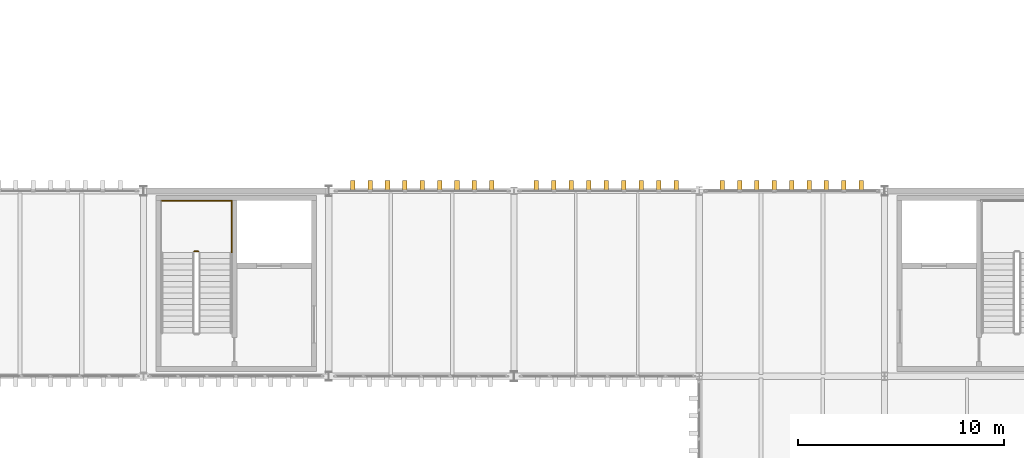
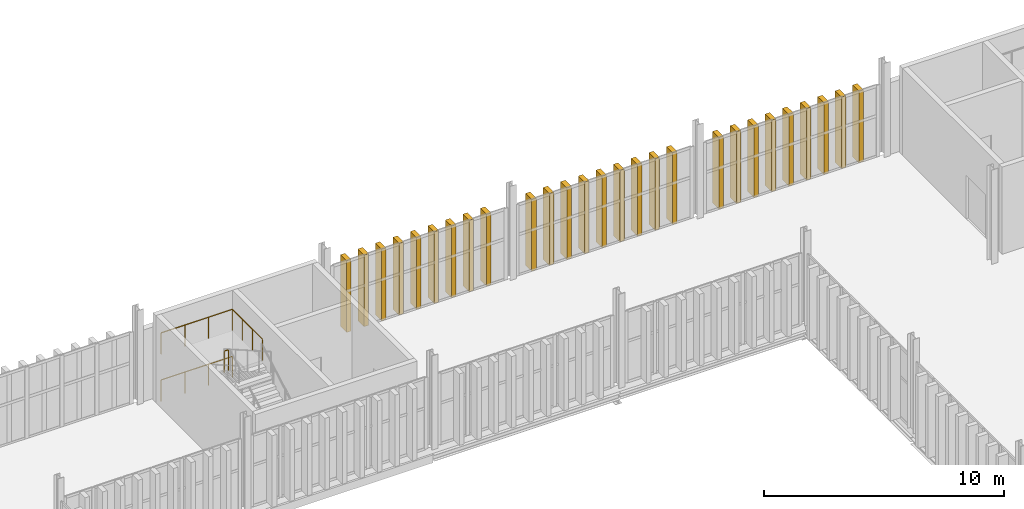
# One storey, part 195 of 196: 27 shading devices, 4 railings.
"""IFC4 building model written with IfcOpenShell, lengths in metres."""

from ifc_helpers import new_model, si_unit, direction, frame, origin, origin_2d, place, context, subcontext, project, spatial, rectangle, circle, extrude, material, type_object, element, save


model = new_model("IFC4")

# Units and contexts
model_context = context("Model", 3, precision=1e-05, world=origin(), true_north=direction((0.0, 1.0)))
body_context = subcontext(model_context, "Body", "Model", "MODEL_VIEW")
ifc_project = project(units=[si_unit("LENGTHUNIT", "METRE"), si_unit("AREAUNIT", "SQUARE_METRE"), si_unit("VOLUMEUNIT", "CUBIC_METRE"), si_unit("PLANEANGLEUNIT", "RADIAN"), si_unit("MASSUNIT", "GRAM", prefix="KILO")], contexts=[model_context])

# Site, building, storey
site_placement = place(None, origin())
site = spatial("IfcSite", under=ifc_project, at=site_placement, CompositionType="ELEMENT")
building_placement = place(site_placement, origin())
building = spatial("IfcBuilding", under=site, at=building_placement, Name="Barlavento Convention Centre", CompositionType="ELEMENT")
storey_placement = place(building_placement, frame((0.0, 0.0, 18.0)))
storey = spatial("IfcBuildingStorey", under=building, at=storey_placement, Name="L03", CompositionType="ELEMENT", Elevation=18.0)

# Railings
ifc_material_1 = material(Name="Stainless steel and laminated glass balustrade", Category="steel")
railing_type = type_object("IfcRailingType", Name="ARC-RAL-BAL-1100", PredefinedType="BALUSTRADE", material=ifc_material_1)
railing_1_placement = place(storey_placement, frame((146.669921875, 96.06005859375, 2.39990234375)))
element("IfcRailing", 1, at=railing_1_placement, inside=storey, type_object=railing_type, Name="L03 ST09 stair guard 2", PredefinedType="BALUSTRADE", context=body_context, shape_type="SweptSolid", body=[
    extrude(circle(Radius=0.02392578125, at=origin_2d()), frame((0.0, 0.0, 1.076171875), z_axis=(-1.0, 0.0, 0.0), x_axis=(0.0, -1.0, 0.0)), (0.0, 0.0, 1.0), 0.199951171875),
    extrude(circle(Radius=0.02099609375, at=origin_2d()), origin(), (0.0, 0.0, 1.0), 1.052001953125),
    extrude(circle(Radius=0.02099609375, at=origin_2d()), frame((-0.199951171875, 0.0, 0.0)), (0.0, 0.0, 1.0), 1.052001953125),
])
railing_2_placement = place(storey_placement, frame((148.2900390625, 96.010009765625, 2.39990234375)))
element("IfcRailing", 2, at=railing_2_placement, inside=storey, type_object=railing_type, Name="L03 landing guard GR01", PredefinedType="BALUSTRADE", context=body_context, shape_type="SweptSolid", body=[
    extrude(circle(Radius=0.02392578125, at=origin_2d()), frame((0.0, 0.0, 1.076171875), z_axis=(0.0, 1.0, 0.0), x_axis=(-1.0, 0.0, 0.0)), (0.0, 0.0, 1.0), 2.52001953125),
    extrude(circle(Radius=0.02099609375, at=origin_2d()), origin(), (0.0, 0.0, 1.0), 1.052001953125),
    extrude(circle(Radius=0.02099609375, at=origin_2d()), frame((0.0, 0.840087890625, 0.0)), (0.0, 0.0, 1.0), 1.052001953125),
    extrude(circle(Radius=0.02099609375, at=origin_2d()), frame((0.0, 1.679931640625, 0.0)), (0.0, 0.0, 1.0), 1.052001953125),
    extrude(circle(Radius=0.02099609375, at=origin_2d()), frame((0.0, 2.52001953125, 0.0)), (0.0, 0.0, 1.0), 1.052001953125),
])
for number, where, name in (
    (3, (148.2900390625, 98.530029296875, 2.39990234375), "L03 landing guard GR01"),
    (4, (148.2900390625, 98.530029296875, 0.0), "L03 stairwell perimeter guard GR01"),
):
    element("IfcRailing", number, at=place(storey_placement, frame(where)), inside=storey, type_object=railing_type, Name=name, PredefinedType="BALUSTRADE", context=body_context, shape_type="SweptSolid", body=[
        extrude(circle(Radius=0.02392578125, at=origin_2d()), frame((0.0, 0.0, 1.076171875), z_axis=(-1.0, 0.0, 0.0), x_axis=(0.0, -1.0, 0.0)), (0.0, 0.0, 1.0), 3.43994140625),
        extrude(circle(Radius=0.02099609375, at=origin_2d()), origin(), (0.0, 0.0, 1.0), 1.052001953125),
        extrude(circle(Radius=0.02099609375, at=origin_2d()), frame((-1.146728515625, 0.0, 0.0)), (0.0, 0.0, 1.0), 1.052001953125),
        extrude(circle(Radius=0.02099609375, at=origin_2d()), frame((-2.293212890625, 0.0, 0.0)), (0.0, 0.0, 1.0), 1.052001953125),
        extrude(circle(Radius=0.02099609375, at=origin_2d()), frame((-3.43994140625, 0.0, 0.0)), (0.0, 0.0, 1.0), 1.052001953125),
    ])

# Shading devices
ifc_material_2 = material(Name="PVDF white extruded aluminium", Category="aluminium")
shading_device_type = type_object("IfcShadingDeviceType", Name="ARC-SHD-FIN-480", PredefinedType="USERDEFINED", material=ifc_material_2)
for number, where, z_axis, x_axis, name in (
    (5, (154.1640625, 99.239990234375, 0.0), (0.0, 0.0, 1.0), (1.0, 0.0, 0.0), "White vertical solar shading fin VF01"),
    (6, (155.008056640625, 99.239990234375, 0.0), (0.0, 0.0, 1.0), (1.0, 0.0, 0.0), "White vertical solar shading fin VF01"),
    (7, (155.85205078125, 99.239990234375, 0.0), (0.0, 0.0, 1.0), (1.0, 0.0, 0.0), "White vertical solar shading fin VF01"),
    (8, (156.696044921875, 99.239990234375, 0.0), (0.0, 0.0, 1.0), (1.0, 0.0, 0.0), "White vertical solar shading fin VF01"),
    (9, (157.5400390625, 99.239990234375, 0.0), (0.0, 0.0, 1.0), (1.0, 0.0, 0.0), "White vertical solar shading fin VF01"),
    (10, (158.384033203125, 99.239990234375, 0.0), (0.0, 0.0, 1.0), (1.0, 0.0, 0.0), "White vertical solar shading fin VF01"),
    (11, (159.22802734375, 99.239990234375, 0.0), (0.0, 0.0, 1.0), (1.0, 0.0, 0.0), "White vertical solar shading fin VF01"),
    (12, (160.072021484375, 99.239990234375, 0.0), (0.0, 0.0, 1.0), (1.0, 0.0, 0.0), "White vertical solar shading fin VF01"),
    (13, (160.916015625, 99.239990234375, 0.0), (0.0, 0.0, 1.0), (1.0, 0.0, 0.0), "White vertical solar shading fin VF01"),
    (14, (163.089111328125, 99.239990234375, 0.0), (0.0, 0.0, 1.0), (1.0, 0.0, 0.0), "White vertical solar shading fin VF01"),
    (15, (163.93798828125, 99.239990234375, 0.0), (0.0, 0.0, 1.0), (1.0, 0.0, 0.0), "White vertical solar shading fin VF01"),
    (16, (164.787109375, 99.239990234375, 0.0), (0.0, 0.0, 1.0), (1.0, 0.0, 0.0), "White vertical solar shading fin VF01"),
    (17, (165.635986328125, 99.239990234375, 0.0), (0.0, 0.0, 1.0), (1.0, 0.0, 0.0), "White vertical solar shading fin VF01"),
    (18, (166.485107421875, 99.239990234375, 0.0), (0.0, 0.0, 1.0), (1.0, 0.0, 0.0), "White vertical solar shading fin VF01"),
    (19, (167.333984375, 99.239990234375, 0.0), (0.0, 0.0, 1.0), (1.0, 0.0, 0.0), "White vertical solar shading fin VF01"),
    (20, (168.18310546875, 99.239990234375, 0.0), (0.0, 0.0, 1.0), (1.0, 0.0, 0.0), "White vertical solar shading fin VF01"),
    (21, (169.031982421875, 99.239990234375, 0.0), (0.0, 0.0, 1.0), (1.0, 0.0, 0.0), "White vertical solar shading fin VF01"),
    (22, (169.881103515625, 99.239990234375, 0.0), (0.0, 0.0, 1.0), (1.0, 0.0, 0.0), "White vertical solar shading fin VF01"),
    (23, (172.113525390625, 99.239990234375, 0.0), (0.0, 0.0, 1.0), (1.0, 0.0, 0.0), "White vertical solar shading fin VF01"),
    (24, (172.95703125, 99.239990234375, 0.0), (0.0, 0.0, 1.0), (1.0, 0.0, 0.0), "White vertical solar shading fin VF01"),
    (25, (173.800537109375, 99.239990234375, 0.0), (0.0, 0.0, 1.0), (1.0, 0.0, 0.0), "White vertical solar shading fin VF01"),
    (26, (174.64404296875, 99.239990234375, 0.0), (0.0, 0.0, 1.0), (1.0, 0.0, 0.0), "White vertical solar shading fin VF01"),
    (27, (175.487548828125, 99.239990234375, 0.0), (0.0, 0.0, 1.0), (1.0, 0.0, 0.0), "White vertical solar shading fin VF01"),
    (28, (176.3310546875, 99.239990234375, 0.0), (0.0, 0.0, 1.0), (1.0, 0.0, 0.0), "White vertical solar shading fin VF01"),
    (29, (177.174560546875, 99.239990234375, 0.0), (0.0, 0.0, 1.0), (1.0, 0.0, 0.0), "White vertical solar shading fin VF01"),
    (30, (178.01806640625, 99.239990234375, 0.0), (0.0, 0.0, 1.0), (1.0, 0.0, 0.0), "White vertical solar shading fin VF01"),
    (31, (178.861572265625, 99.239990234375, 0.0), (0.0, 0.0, 1.0), (1.0, 0.0, 0.0), "White vertical solar shading fin VF01"),
):
    element("IfcShadingDevice", number, at=place(storey_placement, frame(where, z_axis=z_axis, x_axis=x_axis)), inside=storey, type_object=shading_device_type, Name=name, ObjectType="FIN", PredefinedType="USERDEFINED", context=body_context, shape_type="SweptSolid", body=[
        extrude(rectangle(XDim=0.219970703125, YDim=0.52001953125, at=origin_2d()), origin(), (0.0, 0.0, 1.0), 3.64990234375),
    ])

save(model, "model.ifc")
